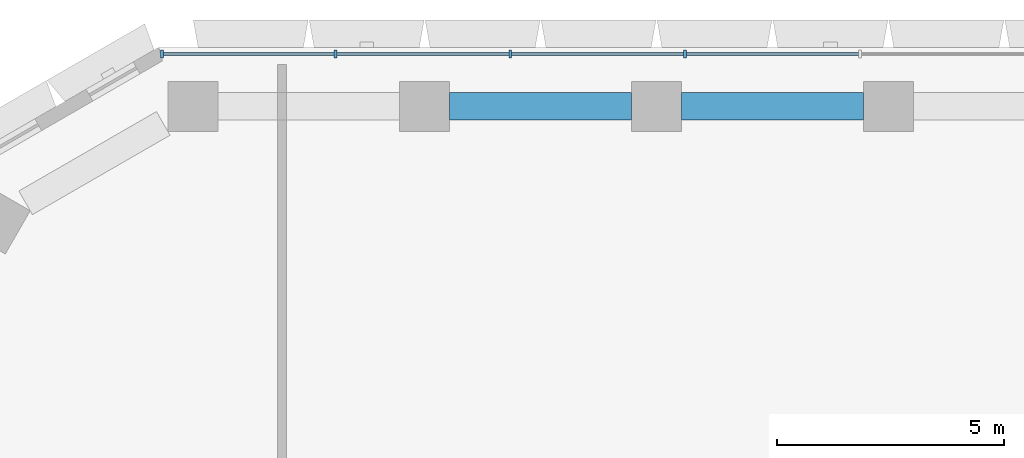
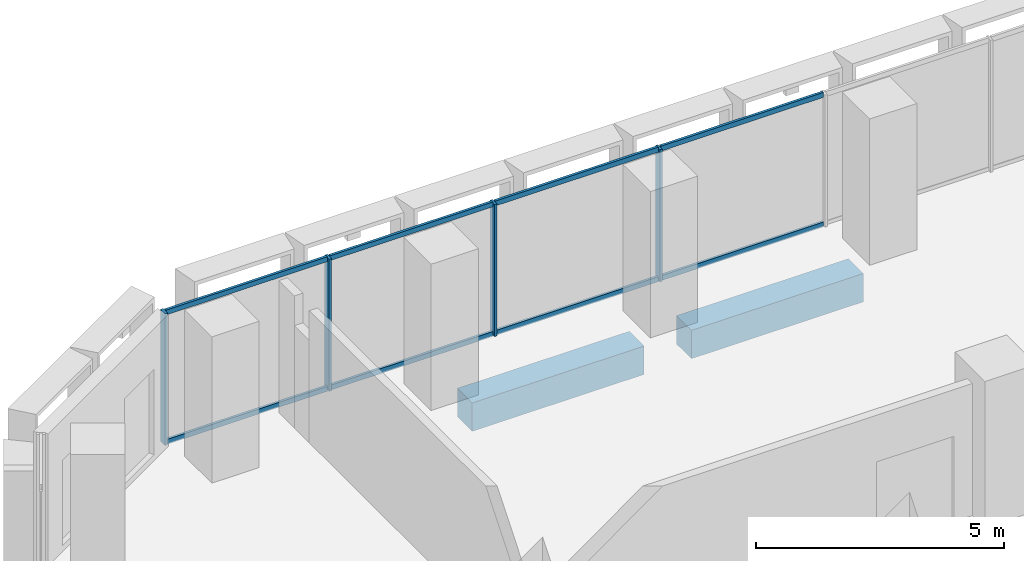
# One storey, part 7 of 25: 12 members, 2 beams, 1 element without a shape of its own.
"""IFC4 building model written with IfcOpenShell, lengths in metres."""

from ifc_helpers import new_model, si_unit, direction, frame, origin, origin_2d, place, context, subcontext, project, spatial, rectangle, hollow_rectangle, extrude, material, material_profile, profile_set, type_object, element, aggregate, save


model = new_model("IFC4")

# Units and contexts
model_context = context("Model", 3, precision=1e-05, world=origin(), true_north=direction((0.0, 1.0)))
body_context = subcontext(model_context, "Body", "Model", "MODEL_VIEW")
ifc_project = project(units=[si_unit("LENGTHUNIT", "METRE"), si_unit("AREAUNIT", "SQUARE_METRE"), si_unit("VOLUMEUNIT", "CUBIC_METRE"), si_unit("PLANEANGLEUNIT", "RADIAN"), si_unit("MASSUNIT", "GRAM", prefix="KILO")], contexts=[model_context])

# Site, building, storey
site_placement = place(None, origin())
site = spatial("IfcSite", under=ifc_project, at=site_placement, CompositionType="ELEMENT")
building_placement = place(site_placement, origin())
building = spatial("IfcBuilding", under=site, at=building_placement, Name="Beryl Residences", CompositionType="ELEMENT")
storey_placement = place(building_placement, frame((0.0, 0.0, 16.199951171875)))
storey = spatial("IfcBuildingStorey", under=building, at=storey_placement, Name="L04", CompositionType="ELEMENT", Elevation=16.199951171875)

# Curtain wall, members
ifc_material_1 = material(Name="Aluminium and clear glass", Category="aluminium")
curtain_wall_type = type_object("IfcCurtainWallType", Name="CW2 amenity glazing glazed wall", PredefinedType="NOTDEFINED", material=ifc_material_1)
curtain_wall_placement = place(storey_placement, origin())
curtain_wall = element("IfcCurtainWall", 1, at=curtain_wall_placement, inside=storey, type_object=curtain_wall_type, Name="CW2 L04 N", PredefinedType="NOTDEFINED")
ifc_material_2 = material(Name="Aluminium", Category="aluminium")
ifc_material_profile_1 = material_profile(ifc_material_2, rectangle(XDim=0.06005859375, YDim=0.179931640625, at=origin_2d()))
ifc_profile_set_1 = profile_set([ifc_material_profile_1], Name="Aluminium")
member_type_1 = type_object("IfcMemberType", Name="CW2-M mullion 60 x 180 mm", PredefinedType="MULLION", material=ifc_profile_set_1)
member_1_placement = place(storey_placement, frame((-1.92431640625, 28.25, 0.0), z_axis=(0.0, 0.0, 1.0), x_axis=(-1.0, 0.0, 0.0)))
member_1 = element("IfcMember", 2, at=member_1_placement, type_object=member_type_1, Name="CW2 mullion 5", PredefinedType="MULLION", context=body_context, shape_type="SweptSolid", body=[
    extrude(rectangle(XDim=0.06005859375, YDim=0.179931640625, at=origin_2d()), origin(), (0.0, 0.0, 1.0), 3.25),
])
member_2_placement = place(storey_placement, frame((-5.77294921875, 28.25, 0.0), z_axis=(0.0, 0.0, 1.0), x_axis=(-1.0, 0.0, 0.0)))
member_2 = element("IfcMember", 3, at=member_2_placement, type_object=member_type_1, Name="CW2 mullion 6", PredefinedType="MULLION", context=body_context, shape_type="SweptSolid", body=[
    extrude(rectangle(XDim=0.06005859375, YDim=0.179931640625, at=origin_2d()), origin(), (0.0, 0.0, 1.0), 3.25),
])
member_3_placement = place(storey_placement, frame((-9.621337890625, 28.25, 0.0), z_axis=(0.0, 0.0, 1.0), x_axis=(-1.0, 0.0, 0.0)))
member_3 = element("IfcMember", 4, at=member_3_placement, type_object=member_type_1, Name="CW2 mullion 7", PredefinedType="MULLION", context=body_context, shape_type="SweptSolid", body=[
    extrude(rectangle(XDim=0.06005859375, YDim=0.179931640625, at=origin_2d()), origin(), (0.0, 0.0, 1.0), 3.25),
])
member_4_placement = place(storey_placement, frame((-13.43994140625, 28.25, 0.0), z_axis=(0.0, 0.0, 1.0), x_axis=(-1.0, 0.0, 0.0)))
member_4 = element("IfcMember", 5, at=member_4_placement, type_object=member_type_1, Name="CW2 mullion 8", PredefinedType="MULLION", context=body_context, shape_type="SweptSolid", body=[
    extrude(rectangle(XDim=0.06005859375, YDim=0.179931640625, at=origin_2d()), origin(), (0.0, 0.0, 1.0), 3.25),
])
ifc_material_3 = material(Name="Aluminium", Category="aluminium")
ifc_material_profile_2 = material_profile(ifc_material_3, hollow_rectangle(XDim=0.06005859375, YDim=0.1201171875, WallThickness=0.00390625, at=origin_2d()))
ifc_profile_set_2 = profile_set([ifc_material_profile_2], Name="Aluminium")
member_type_2 = type_object("IfcMemberType", Name="CW2-T transom 60 x 120 mm", PredefinedType="USERDEFINED", material=ifc_profile_set_2)
member_5_placement = place(storey_placement, frame((1.894287109375, 28.25, 0.030029296875), z_axis=(-1.0, 0.0, 0.0), x_axis=(0.0, -1.0, 0.0)))
member_5 = element("IfcMember", 6, at=member_5_placement, type_object=member_type_2, Name="CW2 transom 4.1", ObjectType="TRANSOM", PredefinedType="USERDEFINED", context=body_context, shape_type="SweptSolid", body=[
    extrude(hollow_rectangle(XDim=0.06005859375, YDim=0.1201171875, WallThickness=0.00390625, at=origin_2d()), origin(), (0.0, 0.0, 1.0), 3.78857421875),
])
member_6_placement = place(storey_placement, frame((1.894287109375, 28.25, 3.219970703125), z_axis=(-1.0, 0.0, 0.0), x_axis=(0.0, -1.0, 0.0)))
member_6 = element("IfcMember", 7, at=member_6_placement, type_object=member_type_2, Name="CW2 transom 4.2", ObjectType="TRANSOM", PredefinedType="USERDEFINED", context=body_context, shape_type="SweptSolid", body=[
    extrude(hollow_rectangle(XDim=0.06005859375, YDim=0.1201171875, WallThickness=0.00390625, at=origin_2d()), origin(), (0.0, 0.0, 1.0), 3.78857421875),
])
member_7_placement = place(storey_placement, frame((-1.954345703125, 28.25, 0.030029296875), z_axis=(-1.0, 0.0, 0.0), x_axis=(0.0, -1.0, 0.0)))
member_7 = element("IfcMember", 8, at=member_7_placement, type_object=member_type_2, Name="CW2 transom 5.1", ObjectType="TRANSOM", PredefinedType="USERDEFINED", context=body_context, shape_type="SweptSolid", body=[
    extrude(hollow_rectangle(XDim=0.06005859375, YDim=0.1201171875, WallThickness=0.00390625, at=origin_2d()), origin(), (0.0, 0.0, 1.0), 3.78857421875),
])
member_8_placement = place(storey_placement, frame((-1.954345703125, 28.25, 3.219970703125), z_axis=(-1.0, 0.0, 0.0), x_axis=(0.0, -1.0, 0.0)))
member_8 = element("IfcMember", 9, at=member_8_placement, type_object=member_type_2, Name="CW2 transom 5.2", ObjectType="TRANSOM", PredefinedType="USERDEFINED", context=body_context, shape_type="SweptSolid", body=[
    extrude(hollow_rectangle(XDim=0.06005859375, YDim=0.1201171875, WallThickness=0.00390625, at=origin_2d()), origin(), (0.0, 0.0, 1.0), 3.78857421875),
])
member_9_placement = place(storey_placement, frame((-5.802978515625, 28.25, 0.030029296875), z_axis=(-1.0, 0.0, 0.0), x_axis=(0.0, -1.0, 0.0)))
member_9 = element("IfcMember", 10, at=member_9_placement, type_object=member_type_2, Name="CW2 transom 6.1", ObjectType="TRANSOM", PredefinedType="USERDEFINED", context=body_context, shape_type="SweptSolid", body=[
    extrude(hollow_rectangle(XDim=0.06005859375, YDim=0.1201171875, WallThickness=0.00390625, at=origin_2d()), origin(), (0.0, 0.0, 1.0), 3.788330078125),
])
member_10_placement = place(storey_placement, frame((-5.802978515625, 28.25, 3.219970703125), z_axis=(-1.0, 0.0, 0.0), x_axis=(0.0, -1.0, 0.0)))
member_10 = element("IfcMember", 11, at=member_10_placement, type_object=member_type_2, Name="CW2 transom 6.2", ObjectType="TRANSOM", PredefinedType="USERDEFINED", context=body_context, shape_type="SweptSolid", body=[
    extrude(hollow_rectangle(XDim=0.06005859375, YDim=0.1201171875, WallThickness=0.00390625, at=origin_2d()), origin(), (0.0, 0.0, 1.0), 3.788330078125),
])
member_11_placement = place(storey_placement, frame((-9.6513671875, 28.25, 0.030029296875), z_axis=(-1.0, 0.0, 0.0), x_axis=(0.0, -1.0, 0.0)))
member_11 = element("IfcMember", 12, at=member_11_placement, type_object=member_type_2, Name="CW2 transom 7.1", ObjectType="TRANSOM", PredefinedType="USERDEFINED", context=body_context, shape_type="SweptSolid", body=[
    extrude(hollow_rectangle(XDim=0.06005859375, YDim=0.1201171875, WallThickness=0.00390625, at=origin_2d()), origin(), (0.0, 0.0, 1.0), 3.758544921875),
])
member_12_placement = place(storey_placement, frame((-9.6513671875, 28.25, 3.219970703125), z_axis=(-1.0, 0.0, 0.0), x_axis=(0.0, -1.0, 0.0)))
member_12 = element("IfcMember", 13, at=member_12_placement, type_object=member_type_2, Name="CW2 transom 7.2", ObjectType="TRANSOM", PredefinedType="USERDEFINED", context=body_context, shape_type="SweptSolid", body=[
    extrude(hollow_rectangle(XDim=0.06005859375, YDim=0.1201171875, WallThickness=0.00390625, at=origin_2d()), origin(), (0.0, 0.0, 1.0), 3.758544921875),
])
aggregate(curtain_wall, [member_1, member_2, member_3, member_4, member_5, member_6, member_7, member_8, member_9, member_10, member_11, member_12])

# Beams
ifc_material_4 = material(Name="Concrete C80/95", Category="concrete")
ifc_material_profile_3 = material_profile(ifc_material_4, rectangle(XDim=0.60009765625, YDim=0.699951171875, at=origin_2d()))
ifc_profile_set_3 = profile_set([ifc_material_profile_3], Name="Concrete C80/95")
beam_type = type_object("IfcBeamType", Name="SB1 spandrel beam 600 x 700 C80/95", PredefinedType="SPANDREL", material=ifc_profile_set_3)
for number, where, z_axis, x_axis, name in (
    (14, (2.0009765625, 27.10009765625, -0.699951171875), (-1.0, 0.0, 0.0), (0.0, -1.0, 0.0), "SB1 L04 N-2"),
    (15, (-3.10302734375, 27.10009765625, -0.699951171875), (-1.0, 0.0, 0.0), (0.0, -1.0, 0.0), "SB1 L04 N-3"),
):
    element("IfcBeam", number, at=place(storey_placement, frame(where, z_axis=z_axis, x_axis=x_axis)), inside=storey, type_object=beam_type, Name=name, PredefinedType="SPANDREL", context=body_context, shape_type="SweptSolid", body=[
        extrude(rectangle(XDim=0.60009765625, YDim=0.699951171875, at=origin_2d()), origin(), (0.0, 0.0, 1.0), 4.00390625),
    ])

save(model, "model.ifc")
